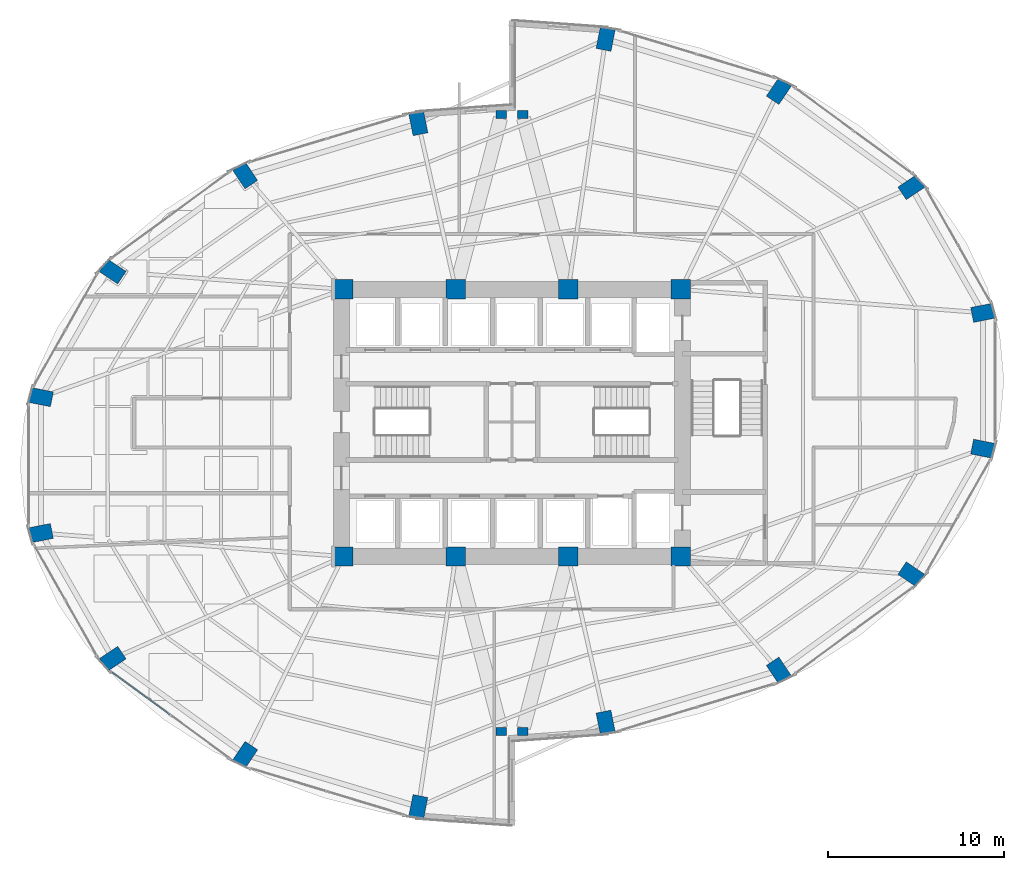
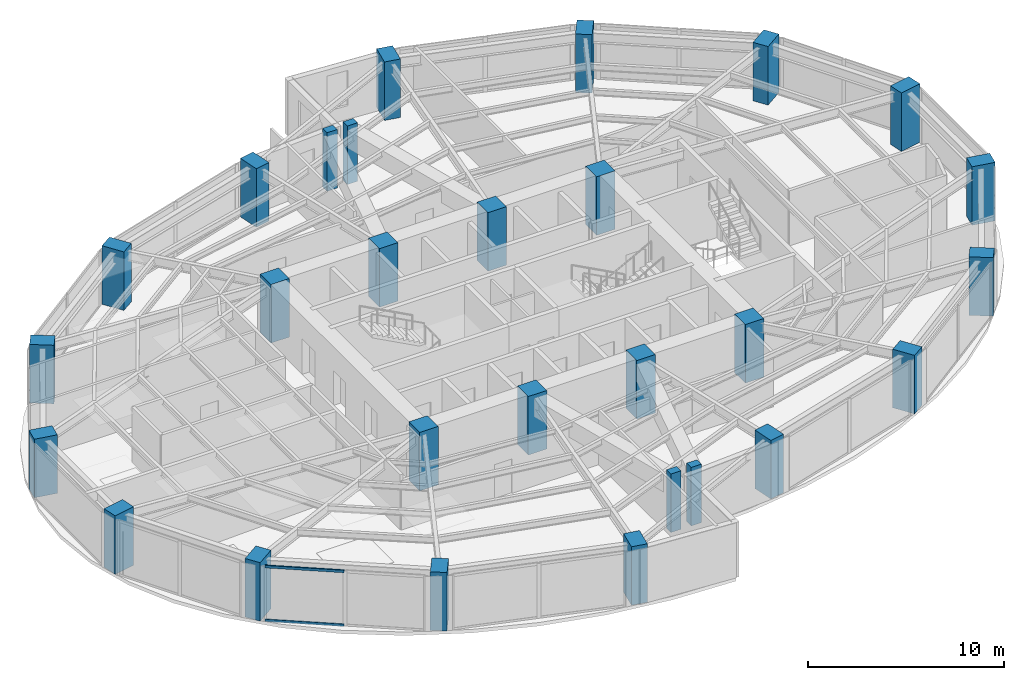
# One storey, part 1 of 24: 28 columns, 2 members, 1 element without a shape of its own.
"""IFC4 building model written with IfcOpenShell, lengths in metres."""

from ifc_helpers import new_model, si_unit, direction, frame, origin, origin_2d, place, context, subcontext, project, spatial, rectangle, hollow_rectangle, extrude, material, layer, layer_set, material_profile, profile_set, type_object, element, aggregate, save


model = new_model("IFC4")

# Units and contexts
model_context = context("Model", 3, precision=1e-05, world=origin(), true_north=direction((0.0, 1.0)))
body_context = subcontext(model_context, "Body", "Model", "MODEL_VIEW")
ifc_project = project(units=[si_unit("LENGTHUNIT", "METRE"), si_unit("AREAUNIT", "SQUARE_METRE"), si_unit("VOLUMEUNIT", "CUBIC_METRE"), si_unit("PLANEANGLEUNIT", "RADIAN"), si_unit("MASSUNIT", "GRAM", prefix="KILO")], contexts=[model_context])

# Site, building, storey
site_placement = place(None, origin())
site = spatial("IfcSite", under=ifc_project, at=site_placement, CompositionType="ELEMENT")
building_placement = place(site_placement, origin())
building = spatial("IfcBuilding", under=site, at=building_placement, Name="Lazwardi Medical Tower", CompositionType="ELEMENT")
storey_placement = place(building_placement, frame((0.0, 0.0, 39.7919921875)))
storey = spatial("IfcBuildingStorey", under=building, at=storey_placement, Name="L09", CompositionType="ELEMENT", Elevation=39.7919921875)

# Columns
ifc_material_1 = material(Name="Concrete C80/95", Category="concrete")
ifc_material_profile_1 = material_profile(ifc_material_1, rectangle(XDim=1.10009765625, YDim=1.10009765625, at=origin_2d()), Name="RC 1100x1100")
ifc_profile_set_1 = profile_set([ifc_material_profile_1], Name="Concrete C80/95")
column_type_1 = type_object("IfcColumnType", Name="COL-CC-L", PredefinedType="COLUMN", material=ifc_profile_set_1)
for number, where, z_axis, x_axis, name in (
    (1, (26.39990234375, 20.39990234375, 0.0), (0.0, 0.0, 1.0), (1.0, 0.0, 0.0), "Core column CC-01 CC1 L09"),
    (2, (32.800048828125, 20.39990234375, 0.0), (0.0, 0.0, 1.0), (1.0, 0.0, 0.0), "Core column CC-01 CC2 L09"),
    (3, (39.199951171875, 20.39990234375, 0.0), (0.0, 0.0, 1.0), (1.0, 0.0, 0.0), "Core column CC-01 CC3 L09"),
    (4, (45.60009765625, 20.39990234375, 0.0), (0.0, 0.0, 1.0), (1.0, 0.0, 0.0), "Core column CC-01 CC4 L09"),
    (5, (45.60009765625, 35.60009765625, 0.0), (0.0, 0.0, 1.0), (1.0, 0.0, 0.0), "Core column CC-01 CC5 L09"),
    (6, (39.199951171875, 35.60009765625, 0.0), (0.0, 0.0, 1.0), (1.0, 0.0, 0.0), "Core column CC-01 CC6 L09"),
    (7, (32.800048828125, 35.60009765625, 0.0), (0.0, 0.0, 1.0), (1.0, 0.0, 0.0), "Core column CC-01 CC7 L09"),
    (8, (26.39990234375, 35.60009765625, 0.0), (0.0, 0.0, 1.0), (1.0, 0.0, 0.0), "Core column CC-01 CC8 L09"),
):
    element("IfcColumn", number, at=place(storey_placement, frame(where, z_axis=z_axis, x_axis=x_axis)), inside=storey, type_object=column_type_1, Name=name, PredefinedType="COLUMN", context=body_context, shape_type="SweptSolid", body=[
        extrude(rectangle(XDim=1.10009765625, YDim=1.10009765625, at=origin_2d()), origin(), (0.0, 0.0, 1.0), 3.64794921875),
    ])
ifc_material_2 = material(Name="Concrete C70/85", Category="concrete")
ifc_material_profile_2 = material_profile(ifc_material_2, rectangle(XDim=1.25, YDim=0.860107421875, at=origin_2d()), Name="CFT-RECT 1250x860")
ifc_profile_set_2 = profile_set([ifc_material_profile_2], Name="Concrete C70/85")
column_type_2 = type_object("IfcColumnType", Name="COL-MC-Z1", PredefinedType="COLUMN", material=ifc_profile_set_2)
for number, where, z_axis, x_axis, name in (
    (9, (41.330810546875, 10.955810546875, 0.0), (0.0, 0.0, 1.0), (0.195090322016, -0.980785280403, 0.0), "Mega column MC-03 M01 L09"),
    (10, (51.180908203125, 13.916015625, 0.0), (0.0, 0.0, 1.0), (0.55557023302, -0.831469612303, 0.0), "Mega column MC-03 M02 L09"),
    (11, (58.719970703125, 19.3857421875, 0.0), (0.0, 0.0, 1.0), (0.831469612303, -0.55557023302, 0.0), "Mega column MC-03 M03 L09"),
    (12, (62.800048828125, 26.5322265625, 0.0), (0.0, 0.0, 1.0), (0.980785280403, -0.195090322016, 0.0), "Mega column MC-03 M04 L09"),
    (13, (62.800048828125, 34.267578125, 0.0), (0.0, 0.0, 1.0), (0.980785280403, 0.195090322016, 0.0), "Mega column MC-03 M05 L09"),
    (14, (58.719970703125, 41.414306640625, 0.0), (0.0, 0.0, 1.0), (0.831469612303, 0.55557023302, 0.0), "Mega column MC-03 M06 L09"),
    (15, (51.180908203125, 46.8837890625, 0.0), (0.0, 0.0, 1.0), (0.55557023302, 0.831469612303, 0.0), "Mega column MC-03 M07 L09"),
    (16, (41.330810546875, 49.843994140625, 0.0), (0.0, 0.0, 1.0), (0.195090322016, 0.980785280403, 0.0), "Mega column MC-03 M08 L09"),
    (17, (30.669189453125, 45.044189453125, 0.0), (0.0, 0.0, 1.0), (-0.195090322016, 0.980785280403, 0.0), "Mega column MC-03 M09 L09"),
    (18, (20.819091796875, 42.083984375, 0.0), (0.0, 0.0, 1.0), (-0.55557023302, 0.831469612303, 0.0), "Mega column MC-03 M10 L09"),
    (19, (13.280029296875, 36.6142578125, 0.0), (0.0, 0.0, 1.0), (-0.831469612303, 0.55557023302, 0.0), "Mega column MC-03 M11 L09"),
    (20, (9.199951171875, 29.4677734375, 0.0), (0.0, 0.0, 1.0), (-0.980785280403, 0.195090322016, 0.0), "Mega column MC-03 M12 L09"),
    (21, (9.199951171875, 21.732421875, 0.0), (0.0, 0.0, 1.0), (-0.980785280403, -0.195090322016, 0.0), "Mega column MC-03 M13 L09"),
    (22, (13.280029296875, 14.585693359375, 0.0), (0.0, 0.0, 1.0), (-0.831469612303, -0.55557023302, 0.0), "Mega column MC-03 M14 L09"),
    (23, (20.819091796875, 9.1162109375, 0.0), (0.0, 0.0, 1.0), (-0.55557023302, -0.831469612303, 0.0), "Mega column MC-03 M15 L09"),
    (24, (30.669189453125, 6.156005859375, 0.0), (0.0, 0.0, 1.0), (-0.195090322016, -0.980785280403, 0.0), "Mega column MC-03 M16 L09"),
):
    element("IfcColumn", number, at=place(storey_placement, frame(where, z_axis=z_axis, x_axis=x_axis)), inside=storey, type_object=column_type_2, Name=name, PredefinedType="COLUMN", context=body_context, shape_type="SweptSolid", body=[
        extrude(rectangle(XDim=1.25, YDim=0.860107421875, at=origin_2d()), origin(), (0.0, 0.0, 1.0), 3.64794921875),
    ])
ifc_material_3 = material(Name="Concrete C60/75", Category="concrete")
ifc_material_profile_3 = material_profile(ifc_material_3, rectangle(XDim=0.60009765625, YDim=0.449951171875, at=origin_2d()), Name="RC 600x450")
ifc_profile_set_3 = profile_set([ifc_material_profile_3], Name="Concrete C60/75")
column_type_3 = type_object("IfcColumnType", Name="COL-PL-IW", PredefinedType="PILASTER", material=ifc_profile_set_3)
for number, where, z_axis, x_axis, name in (
    (25, (35.39990234375, 45.550048828125, 0.0), (0.0, 0.0, 1.0), (1.0, 0.0, 0.0), "Iwan pilaster column PL-C1 PL1 L09"),
    (26, (36.60009765625, 45.550048828125, 0.0), (0.0, 0.0, 1.0), (1.0, 0.0, 0.0), "Iwan pilaster column PL-C1 PL2 L09"),
    (27, (35.39990234375, 10.449951171875, 0.0), (0.0, 0.0, 1.0), (1.0, 0.0, 0.0), "Iwan pilaster column PL-C1 PL3 L09"),
    (28, (36.60009765625, 10.449951171875, 0.0), (0.0, 0.0, 1.0), (1.0, 0.0, 0.0), "Iwan pilaster column PL-C1 PL4 L09"),
):
    element("IfcColumn", number, at=place(storey_placement, frame(where, z_axis=z_axis, x_axis=x_axis)), inside=storey, type_object=column_type_3, Name=name, PredefinedType="PILASTER", context=body_context, shape_type="SweptSolid", body=[
        extrude(rectangle(XDim=0.60009765625, YDim=0.449951171875, at=origin_2d()), origin(), (0.0, 0.0, 1.0), 3.64794921875),
    ])

# Curtain wall, members
ifc_material_4 = material(Name="Anodised bronze aluminium and solar control glazing", Category="aluminium")
ifc_layer = layer(ifc_material_4, 0.199951171875)
ifc_layer_set = layer_set([ifc_layer], Name="Anodised bronze aluminium and solar control glazing")
curtain_wall_type = type_object("IfcCurtainWallType", Name="CW-SYS-02", PredefinedType="NOTDEFINED", material=ifc_layer_set)
curtain_wall_placement = place(storey_placement, origin())
curtain_wall = element("IfcCurtainWall", 29, at=curtain_wall_placement, inside=storey, type_object=curtain_wall_type, Name="L09 Unitised bronze curtain wall CW-02", PredefinedType="NOTDEFINED")
ifc_material_5 = material(Name="Anodised bronze aluminium", Category="aluminium")
ifc_material_profile_4 = material_profile(ifc_material_5, hollow_rectangle(XDim=0.074951171875, YDim=0.159912109375, WallThickness=0.00390625, at=origin_2d()), Name="ALU-TRANSOM 160x75x4")
ifc_profile_set_4 = profile_set([ifc_material_profile_4], Name="Anodised bronze aluminium")
member_type = type_object("IfcMemberType", Name="CW-TRN-01", PredefinedType="USERDEFINED", material=ifc_profile_set_4)
member_1_placement = place(storey_placement, frame((13.239990234375, 13.805419921875, 0.03759765625), z_axis=(0.807189956199, -0.590291770748, 0.0), x_axis=(0.590291770748, 0.807189956199, 0.0)))
member_1 = element("IfcMember", 30, at=member_1_placement, type_object=member_type, Name="CW-02 transom 1.1", ObjectType="TRANSOM", PredefinedType="USERDEFINED", context=body_context, shape_type="SweptSolid", body=[
    extrude(hollow_rectangle(XDim=0.074951171875, YDim=0.159912109375, WallThickness=0.00390625, at=origin_2d()), origin(), (0.0, 0.0, 1.0), 4.070068359375),
])
member_2_placement = place(storey_placement, frame((13.239990234375, 13.805419921875, 3.390625), z_axis=(0.807189956199, -0.590291770748, 0.0), x_axis=(0.590291770748, 0.807189956199, 0.0)))
member_2 = element("IfcMember", 31, at=member_2_placement, type_object=member_type, Name="CW-02 transom 1.2", ObjectType="TRANSOM", PredefinedType="USERDEFINED", context=body_context, shape_type="SweptSolid", body=[
    extrude(hollow_rectangle(XDim=0.074951171875, YDim=0.159912109375, WallThickness=0.00390625, at=origin_2d()), origin(), (0.0, 0.0, 1.0), 4.070068359375),
])
aggregate(curtain_wall, [member_1, member_2])

save(model, "model.ifc")
